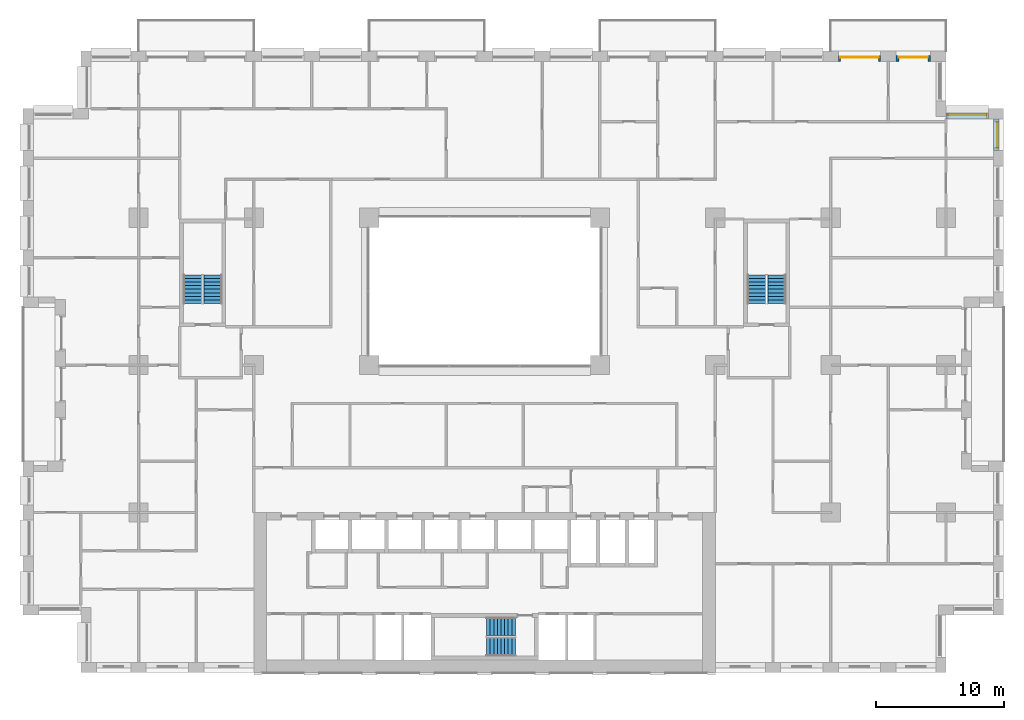
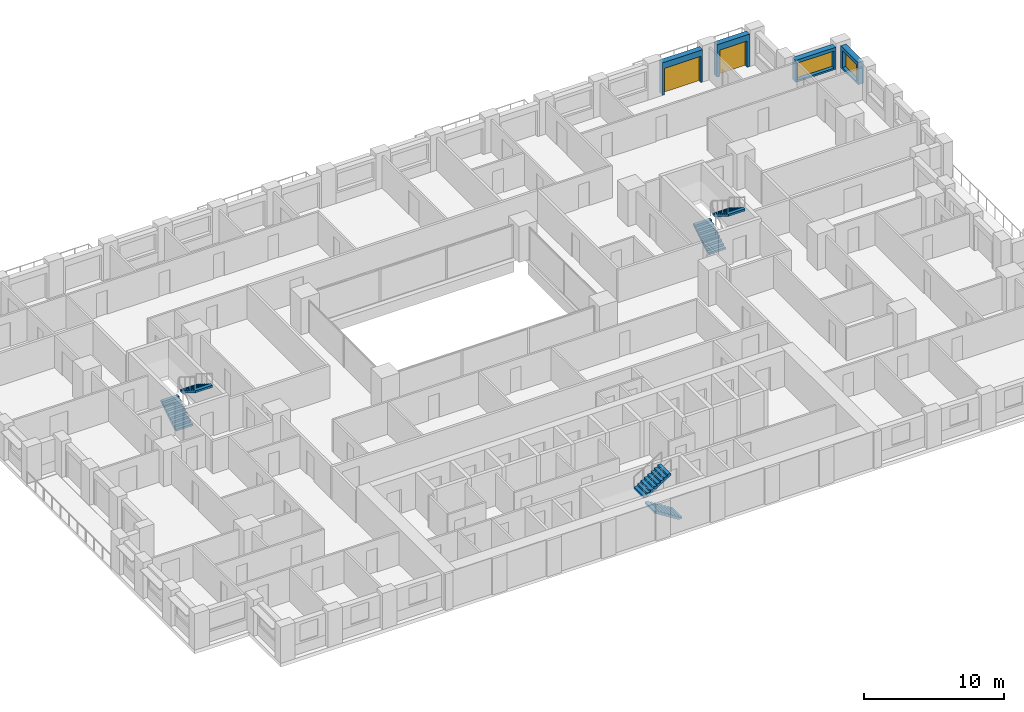
# One storey, part 18 of 20: 6 stair flights, 4 walls, 2 doors, 2 windows, 4 openings, 3 elements without a shape of their own.
"""IFC4 building model written with IfcOpenShell, lengths in metres."""

import ifcopenshell
import ifcopenshell.guid

model = None  # the IFC model being written
_history = None  # IfcOwnerHistory: only IFC2X3 demands one
_inside = {}  # id of a spatial element -> (the spatial element, [elements in it])
_under = {}  # id of a project, library or spatial element -> (it, [spatial elements below it])
_declared = {}  # id of a project -> (the project, [libraries it declares])
_typed = {}  # id of a type object -> (the type object, [elements of that type])
_made_of = {}  # id of a material, layer set ... -> (it, [elements and type objects made of it])


def new_model(schema):
    """Start an empty IFC model of exactly this schema.

    Asked for "IFC4X3", IfcOpenShell would pick the latest addendum, in which some entities
    have other attributes; the version numbers below select the first issue.
    IFC2X3 requires an IfcOwnerHistory on every rooted entity: one is made here for all.
    """
    global model, _history
    if schema == "IFC4X3":
        model = ifcopenshell.file(schema_version=(4, 3, 0, 0))
    else:
        model = ifcopenshell.file(schema=schema)
    _inside.clear()
    _under.clear()
    _declared.clear()
    _typed.clear()
    _made_of.clear()
    _history = None
    if model.schema == "IFC2X3":
        org = make("IfcOrganization", Name="unknown")
        user = make(
            "IfcPersonAndOrganization",
            ThePerson=make("IfcPerson", FamilyName="unknown"),
            TheOrganization=org,
        )
        app = make(
            "IfcApplication",
            ApplicationDeveloper=org,
            Version="unknown",
            ApplicationFullName="unknown",
            ApplicationIdentifier="unknown",
        )
        _history = make(
            "IfcOwnerHistory",
            OwningUser=user,
            OwningApplication=app,
            ChangeAction="ADDED",
            CreationDate=0,
        )
    return model


def make(cls, **values):
    """One entity of the class cls with the attributes given. An attribute that is None is left unset."""
    return model.create_entity(
        cls, **{name: value for name, value in values.items() if value is not None}
    )


def rooted(cls, **values):
    """An entity with a GlobalId (a new one), such as an element, a storey or a relation."""
    return make(cls, GlobalId=ifcopenshell.guid.new(), OwnerHistory=_history, **values)


def si_unit(unit_type, name, prefix=None):
    """IfcSIUnit, for example si_unit("LENGTHUNIT", "METRE", prefix="MILLI")."""
    return make("IfcSIUnit", UnitType=unit_type, Prefix=prefix, Name=name)


def assignment(units):
    """IfcUnitAssignment: the units of a project."""
    return None if units is None else make("IfcUnitAssignment", Units=units)


def point(xyz):
    """IfcCartesianPoint."""
    return None if xyz is None else make("IfcCartesianPoint", Coordinates=xyz)


def direction(xyz):
    """IfcDirection."""
    return None if xyz is None else make("IfcDirection", DirectionRatios=xyz)


def frame(location, z_axis=None, x_axis=None):
    """IfcAxis2Placement3D, a coordinate frame: its origin and axes. An axis left out is left unset."""
    return make(
        "IfcAxis2Placement3D",
        Location=point(location),
        Axis=direction(z_axis),
        RefDirection=direction(x_axis),
    )


def frame_2d(location, x_axis=None):
    """IfcAxis2Placement2D, a coordinate frame in the plane: its origin and x axis."""
    return make(
        "IfcAxis2Placement2D", Location=point(location), RefDirection=direction(x_axis)
    )


def origin():
    """The frame at (0, 0, 0) with its axes left unset."""
    return frame((0.0, 0.0, 0.0))


def place(relative_to, where):
    """IfcLocalPlacement: puts the frame where relative to a parent placement (None: the world)."""
    return make(
        "IfcLocalPlacement", PlacementRelTo=relative_to, RelativePlacement=where
    )


def context(
    kind, dimensions, precision=None, world=None, true_north=None, identifier=None
):
    """IfcGeometricRepresentationContext, for example the 3D "Model" context."""
    return make(
        "IfcGeometricRepresentationContext",
        ContextIdentifier=identifier,
        ContextType=kind,
        CoordinateSpaceDimension=dimensions,
        Precision=precision,
        WorldCoordinateSystem=world,
        TrueNorth=true_north,
    )


def subcontext(parent, identifier, kind, view, scale=None):
    """IfcGeometricRepresentationSubContext, for example "Body" below "Model"."""
    return make(
        "IfcGeometricRepresentationSubContext",
        ContextIdentifier=identifier,
        ContextType=kind,
        ParentContext=parent,
        TargetScale=scale,
        TargetView=view,
    )


def project(units=None, contexts=None):
    """IfcProject with its units and contexts."""
    return rooted(
        "IfcProject",
        Name="project",
        RepresentationContexts=contexts,
        UnitsInContext=assignment(units),
    )


def spatial(cls, under=None, at=None, **own):
    """A site, building, storey or space (cls), placed at a placement, below another one or the project."""
    s = rooted(cls, ObjectPlacement=at, **own)
    if under is not None:
        _under.setdefault(under.id(), (under, []))[1].append(s)
    return s


def polyline(points):
    """IfcPolyline through the points."""
    return make("IfcPolyline", Points=[point(p) for p in points])


def profile(cls, at=None, kind="AREA", **sizes):
    """A parametric profile (cls). Its sizes go by their IFC names, for example OverallWidth=200.0."""
    return make(cls, ProfileType=kind, Position=at, **sizes)


def rectangle(**sizes):
    """IfcRectangleProfileDef."""
    return profile("IfcRectangleProfileDef", **sizes)


def outline(outer, holes=None, kind="AREA"):
    """IfcArbitraryClosedProfileDef: a profile drawn as a closed curve; with holes, ...WithVoids."""
    if holes is None:
        return make("IfcArbitraryClosedProfileDef", ProfileType=kind, OuterCurve=outer)
    return make(
        "IfcArbitraryProfileDefWithVoids",
        ProfileType=kind,
        OuterCurve=outer,
        InnerCurves=holes,
    )


def extrude(swept, where, along, depth):
    """IfcExtrudedAreaSolid: the profile swept, set in the frame where, extruded along a direction by depth."""
    return make(
        "IfcExtrudedAreaSolid",
        SweptArea=swept,
        Position=where,
        ExtrudedDirection=direction(along),
        Depth=depth,
    )


def shape(context_of_items, identifier, shape_type, items):
    """IfcShapeRepresentation: the items that make up one representation, for example the "Body"."""
    return make(
        "IfcShapeRepresentation",
        ContextOfItems=context_of_items,
        RepresentationIdentifier=identifier,
        RepresentationType=shape_type,
        Items=items,
    )


def material(Name=None, Category=None):
    """IfcMaterial."""
    return make("IfcMaterial", Name=Name, Category=Category)


def layer(
    of_material, thickness, ventilated=None, Name=None, Category=None, Priority=None
):
    """IfcMaterialLayer: one layer of a wall or slab, of a material (None: an air gap)."""
    return make(
        "IfcMaterialLayer",
        Material=of_material,
        LayerThickness=thickness,
        IsVentilated=ventilated,
        Name=Name,
        Category=Category,
        Priority=Priority,
    )


def layer_set(layers, Name=None):
    """IfcMaterialLayerSet."""
    return make("IfcMaterialLayerSet", MaterialLayers=layers, LayerSetName=Name)


def made_of(thing, what):
    """Note that an element or type object is made of a material, layer set ...; save() writes the relation."""
    if what is not None:
        _made_of.setdefault(what.id(), (what, []))[1].append(thing)
    return thing


def type_object(cls, material=None, **own):
    """A type object (cls), such as IfcWallType, which elements share."""
    return made_of(rooted(cls, **own), material)


def element(
    cls,
    number,
    at=None,
    inside=None,
    cuts=None,
    type_object=None,
    material=None,
    context=None,
    identifier="Body",
    shape_type=None,
    held_by="IfcProductDefinitionShape",
    body=None,
    shapes=None,
    **own,
):
    """One element of the class cls, such as IfcWall. Its Tag is "e" and its number.

    at: its placement. inside: the storey or other place that contains it. cuts: it is an
    opening in that element (IfcRelVoidsElement). A single representation is given by context,
    identifier, shape_type and body (its items); several are given by shapes. held_by: the class
    of the entity that holds the representations. save() writes the other relations.
    """
    e = rooted(cls, Tag="e%d" % number, ObjectPlacement=at, **own)
    if body is not None:
        shapes = [shape(context, identifier, shape_type, body)]
    if shapes is not None:
        e.Representation = make(held_by, Representations=shapes)
    if inside is not None:
        _inside.setdefault(inside.id(), (inside, []))[1].append(e)
    if cuts is not None:
        rooted(
            "IfcRelVoidsElement", RelatingBuildingElement=cuts, RelatedOpeningElement=e
        )
    if type_object is not None:
        _typed.setdefault(type_object.id(), (type_object, []))[1].append(e)
    return made_of(e, material)


def fill(opening, filler):
    """IfcRelFillsElement: the door or window that sits in an opening."""
    return rooted(
        "IfcRelFillsElement",
        RelatingOpeningElement=opening,
        RelatedBuildingElement=filler,
    )


def aggregate(whole, parts):
    """IfcRelAggregates: a whole, such as a stair, and the parts it consists of."""
    return rooted("IfcRelAggregates", RelatingObject=whole, RelatedObjects=parts)


def save(model, path):
    """Write the relations noted so far, then the file.

    IfcRelAggregates (storeys below a building ...), IfcRelContainedInSpatialStructure (elements
    in a storey), IfcRelDefinesByType, IfcRelAssociatesMaterial and IfcRelDeclares: one each for
    every whole, place, type object, material and project.
    """
    for whole, parts in _under.values():
        aggregate(whole, parts)
    for where, things in _inside.values():
        rooted(
            "IfcRelContainedInSpatialStructure",
            RelatedElements=things,
            RelatingStructure=where,
        )
    for kind, things in _typed.values():
        rooted("IfcRelDefinesByType", RelatedObjects=things, RelatingType=kind)
    for what, things in _made_of.values():
        rooted("IfcRelAssociatesMaterial", RelatedObjects=things, RelatingMaterial=what)
    for by, libraries in _declared.values():
        rooted("IfcRelDeclares", RelatingContext=by, RelatedDefinitions=libraries)
    model.write(path)


model = new_model("IFC4")

# Units and contexts
model_context = context("Model", 3, precision=1e-05, world=origin(), true_north=direction((0.0, 1.0)))
body_context = subcontext(model_context, "Body", "Model", "MODEL_VIEW")
ifc_project = project(units=[si_unit("LENGTHUNIT", "METRE"), si_unit("AREAUNIT", "SQUARE_METRE"), si_unit("VOLUMEUNIT", "CUBIC_METRE"), si_unit("PLANEANGLEUNIT", "RADIAN"), si_unit("MASSUNIT", "GRAM", prefix="KILO")], contexts=[model_context])

# Site, building, storey
site_placement = place(None, origin())
site = spatial("IfcSite", under=ifc_project, at=site_placement, CompositionType="ELEMENT")
building_placement = place(site_placement, origin())
building = spatial("IfcBuilding", under=site, at=building_placement, Name="Brigalow Station Residences", CompositionType="ELEMENT")
storey_placement = place(building_placement, frame((0.0, 0.0, 57.300048828125)))
storey = spatial("IfcBuildingStorey", under=building, at=storey_placement, Name="L16", CompositionType="ELEMENT", Elevation=57.300048828125)

# Wall, opening, window
ifc_material_1 = material(Name="Clay brick masonry", Category="masonry")
ifc_layer = layer(ifc_material_1, 0.449951171875)
ifc_layer_set = layer_set([ifc_layer], Name="BRICK INFILL WALL 450")
wall_type = type_object("IfcWallType", Name="BRICK INFILL WALL 450", PredefinedType="SOLIDWALL", material=ifc_layer_set)
wall_1_placement = place(storey_placement, frame((75.925048828125, 40.72509765625, 0.89990234375), z_axis=(0.0, 0.0, 1.0), x_axis=(0.0, 1.0, 0.0)))
wall_1 = element("IfcWall", 1, at=wall_1_placement, inside=storey, type_object=wall_type, Name="L16/ewall/W-L16-22", PredefinedType="SOLIDWALL", context=body_context, shape_type="SweptSolid", body=[
    extrude(rectangle(XDim=2.474853515625, YDim=0.449951171875, at=frame_2d((1.2373046875, 0.0))), origin(), (0.0, 0.0, 1.0), 1.929931640625),
])
opening_1_placement = place(wall_1_placement, frame((0.237548828125, 0.0, 0.14990234375)))
opening_1 = element("IfcOpeningElement", 2, at=opening_1_placement, cuts=wall_1, Name="Opening WT-7", PredefinedType="OPENING", context=body_context, shape_type="SweptSolid", body=[
    extrude(rectangle(XDim=2.0, YDim=1.5, at=frame_2d((1.0, 0.75))), frame((0.0, 0.23486328125, 0.0), z_axis=(0.0, -1.0, 0.0), x_axis=(1.0, 0.0, 0.0)), (0.0, 0.0, 1.0), 0.469970703125),
])
ifc_material_2 = material(Name="Anodised aluminium frame with double glazing", Category="aluminium")
window_type_1 = type_object("IfcWindowType", Name="WINDOW 2000x1500", PartitioningType="SINGLE_PANEL", PredefinedType="WINDOW", material=ifc_material_2)
window_1_placement = place(opening_1_placement, origin())
window_1 = element("IfcWindow", 3, at=window_1_placement, inside=storey, type_object=window_type_1, Name="L16/window/W-L16-22", OverallHeight=1.5, OverallWidth=2.0, PartitioningType="SINGLE_PANEL", PredefinedType="WINDOW", context=body_context, shape_type="SweptSolid", body=[
    extrude(rectangle(XDim=2.0, YDim=1.5, at=frame_2d((1.0, 0.75))), frame((0.0, -0.06494140625, 0.0), z_axis=(0.0, -1.0, 0.0), x_axis=(1.0, 0.0, 0.0)), (0.0, 0.0, 1.0), 0.06005859375),
])
fill(opening_1, window_1)

wall_2_placement = place(storey_placement, frame((75.300048828125, 43.425048828125, 0.89990234375), z_axis=(0.0, 0.0, 1.0), x_axis=(-1.0, 0.0, 0.0)))
wall_2 = element("IfcWall", 4, at=wall_2_placement, inside=storey, type_object=wall_type, Name="L16/ewall/W-L16-23", PredefinedType="SOLIDWALL", context=body_context, shape_type="SweptSolid", body=[
    extrude(rectangle(XDim=3.300048828125, YDim=0.449951171875, at=frame_2d((1.64990234375, 0.0))), origin(), (0.0, 0.0, 1.0), 1.929931640625),
])
opening_2_placement = place(wall_2_placement, frame((0.14990234375, 0.0, 0.14990234375)))
opening_2 = element("IfcOpeningElement", 5, at=opening_2_placement, cuts=wall_2, Name="Opening WT-2", PredefinedType="OPENING", context=body_context, shape_type="SweptSolid", body=[
    extrude(rectangle(XDim=3.0, YDim=1.5, at=frame_2d((1.5, 0.75))), frame((0.0, 0.23486328125, 0.0), z_axis=(0.0, -1.0, 0.0), x_axis=(1.0, 0.0, 0.0)), (0.0, 0.0, 1.0), 0.469970703125),
])
ifc_material_3 = material(Name="Anodised aluminium frame with double glazing", Category="aluminium")
window_type_2 = type_object("IfcWindowType", Name="WINDOW 3000x1500", PartitioningType="SINGLE_PANEL", PredefinedType="WINDOW", material=ifc_material_3)
window_2_placement = place(opening_2_placement, origin())
window_2 = element("IfcWindow", 6, at=window_2_placement, inside=storey, type_object=window_type_2, Name="L16/window/W-L16-23", OverallHeight=1.5, OverallWidth=3.0, PartitioningType="SINGLE_PANEL", PredefinedType="WINDOW", context=body_context, shape_type="SweptSolid", body=[
    extrude(rectangle(XDim=3.0, YDim=1.5, at=frame_2d((1.5, 0.75))), frame((0.0, -0.06494140625, 0.0), z_axis=(0.0, -1.0, 0.0), x_axis=(1.0, 0.0, 0.0)), (0.0, 0.0, 1.0), 0.06005859375),
])
fill(opening_2, window_2)

# Wall, opening, door
wall_3_placement = place(storey_placement, frame((70.800048828125, 47.925048828125, 0.0), z_axis=(0.0, 0.0, 1.0), x_axis=(-1.0, 0.0, 0.0)))
wall_3 = element("IfcWall", 7, at=wall_3_placement, inside=storey, type_object=wall_type, Name="L16/ewall/W-L16-25", PredefinedType="SOLIDWALL", context=body_context, shape_type="SweptSolid", body=[
    extrude(rectangle(XDim=2.699951171875, YDim=0.449951171875, at=frame_2d((1.35009765625, 0.0))), origin(), (0.0, 0.0, 1.0), 2.829833984375),
])
opening_3_placement = place(wall_3_placement, frame((0.22509765625, 0.0, 0.0)))
opening_3 = element("IfcOpeningElement", 8, at=opening_3_placement, cuts=wall_3, Name="Opening D-B2250", PredefinedType="OPENING", context=body_context, shape_type="SweptSolid", body=[
    extrude(rectangle(XDim=2.25, YDim=2.300048828125, at=frame_2d((1.125, 1.14990234375))), frame((0.0, 0.23486328125, 0.0), z_axis=(0.0, -1.0, 0.0), x_axis=(1.0, 0.0, 0.0)), (0.0, 0.0, 1.0), 0.469970703125),
])
ifc_material_4 = material(Name="Anodised aluminium frame with double glazing", Category="aluminium")
door_type_1 = type_object("IfcDoorType", Name="BALCONY SLIDING DOOR 2250x2300", OperationType="SLIDING_TO_LEFT", PredefinedType="DOOR", material=ifc_material_4)
door_1_placement = place(opening_3_placement, origin())
door_1 = element("IfcDoor", 9, at=door_1_placement, inside=storey, type_object=door_type_1, Name="L16/balcony-door/W-L16-25", OperationType="SLIDING_TO_LEFT", OverallHeight=2.300048828125, OverallWidth=2.25, PredefinedType="DOOR", context=body_context, shape_type="SweptSolid", body=[
    extrude(rectangle(XDim=2.25, YDim=2.300048828125, at=frame_2d((1.125, 1.14990234375))), frame((0.0, -0.06982421875, 0.0), z_axis=(0.0, -1.0, 0.0), x_axis=(1.0, 0.0, 0.0)), (0.0, 0.0, 1.0), 0.050048828125),
])
fill(opening_3, door_1)

wall_4_placement = place(storey_placement, frame((66.89990234375, 47.925048828125, 0.0), z_axis=(0.0, 0.0, 1.0), x_axis=(-1.0, 0.0, 0.0)))
wall_4 = element("IfcWall", 10, at=wall_4_placement, inside=storey, type_object=wall_type, Name="L16/ewall/W-L16-26", PredefinedType="SOLIDWALL", context=body_context, shape_type="SweptSolid", body=[
    extrude(rectangle(XDim=3.2998046875, YDim=0.449951171875, at=frame_2d((1.64990234375, 0.0))), origin(), (0.0, 0.0, 1.0), 2.829833984375),
])
opening_4_placement = place(wall_4_placement, frame((0.14990234375, 0.0, 0.0)))
opening_4 = element("IfcOpeningElement", 11, at=opening_4_placement, cuts=wall_4, Name="Opening D-B3000", PredefinedType="OPENING", context=body_context, shape_type="SweptSolid", body=[
    extrude(rectangle(XDim=3.0, YDim=2.300048828125, at=frame_2d((1.5, 1.14990234375))), frame((0.0, 0.23486328125, 0.0), z_axis=(0.0, -1.0, 0.0), x_axis=(1.0, 0.0, 0.0)), (0.0, 0.0, 1.0), 0.469970703125),
])
ifc_material_5 = material(Name="Anodised aluminium frame with double glazing", Category="aluminium")
door_type_2 = type_object("IfcDoorType", Name="BALCONY SLIDING DOOR 3000x2300", OperationType="SLIDING_TO_LEFT", PredefinedType="DOOR", material=ifc_material_5)
door_2_placement = place(opening_4_placement, origin())
door_2 = element("IfcDoor", 12, at=door_2_placement, inside=storey, type_object=door_type_2, Name="L16/balcony-door/W-L16-26", OperationType="SLIDING_TO_LEFT", OverallHeight=2.300048828125, OverallWidth=3.0, PredefinedType="DOOR", context=body_context, shape_type="SweptSolid", body=[
    extrude(rectangle(XDim=3.0, YDim=2.300048828125, at=frame_2d((1.5, 1.14990234375))), frame((0.0, -0.06982421875, 0.0), z_axis=(0.0, -1.0, 0.0), x_axis=(1.0, 0.0, 0.0)), (0.0, 0.0, 1.0), 0.050048828125),
])
fill(opening_4, door_2)

# Stair, stair flights
ifc_material_6 = material(Name="Concrete C50", Category="concrete")
stair_type = type_object("IfcStairType", Name="EXIT STAIR 1400 2 FLIGHT", PredefinedType="HALF_TURN_STAIR", material=ifc_material_6)
stair_1_placement = place(storey_placement, origin())
stair_1 = element("IfcStair", 13, at=stair_1_placement, inside=storey, type_object=stair_type, Name="EXIT STAIR S2 L16", PredefinedType="HALF_TURN_STAIR")
ifc_material_7 = material(Name="Concrete C50", Category="concrete")
stair_flight_type = type_object("IfcStairFlightType", Name="STAIR FLIGHT 1400", PredefinedType="STRAIGHT", material=ifc_material_7)
stair_flight_1_placement = place(storey_placement, frame((38.39990234375, 2.0, 0.0), z_axis=(0.0, 0.0, 1.0), x_axis=(-1.0, 0.0, 0.0)))
stair_flight_1 = element("IfcStairFlight", 14, at=stair_flight_1_placement, type_object=stair_flight_type, Name="ST-2 flight 1", NumberOfRisers=9, NumberOfTreads=8, PredefinedType="STRAIGHT", RiserHeight=0.175, TreadLength=0.28, context=body_context, shape_type="SweptSolid", body=[
    extrude(outline(polyline([(0.0, 0.0), (0.0, 0.175048828125), (0.280029296875, 0.175048828125), (0.280029296875, 0.35009765625), (0.56005859375, 0.35009765625), (0.56005859375, 0.52490234375), (0.840087890625, 0.52490234375), (0.840087890625, 0.699951171875), (1.1201171875, 0.699951171875), (1.1201171875, 0.875), (1.39990234375, 0.875), (1.39990234375, 1.050048828125), (1.679931640625, 1.050048828125), (1.679931640625, 1.22509765625), (1.9599609375, 1.22509765625), (1.9599609375, 1.39990234375), (2.239990234375, 1.39990234375), (2.239990234375, 1.574951171875), (2.239990234375, 1.22314453125), (0.28271484375, 0.0), (0.0, 0.0)])), frame((0.0, 0.699951171875, 0.0), z_axis=(0.0, -1.0, 0.0), x_axis=(1.0, 0.0, 0.0)), (0.0, 0.0, 1.0), 1.39990234375),
])
stair_flight_2_placement = place(storey_placement, frame((36.159912109375, 3.60009765625, 1.574951171875), z_axis=(0.0, 0.0, 1.0), x_axis=(1.0, 0.0, 0.0)))
stair_flight_2 = element("IfcStairFlight", 15, at=stair_flight_2_placement, type_object=stair_flight_type, Name="ST-2 flight 2", NumberOfRisers=9, NumberOfTreads=8, PredefinedType="STRAIGHT", RiserHeight=0.175, TreadLength=0.28, context=body_context, shape_type="SweptSolid", body=[
    extrude(outline(polyline([(0.0, 0.0), (0.0, 0.175048828125), (0.280029296875, 0.175048828125), (0.280029296875, 0.35009765625), (0.56005859375, 0.35009765625), (0.56005859375, 0.52490234375), (0.840087890625, 0.52490234375), (0.840087890625, 0.699951171875), (1.1201171875, 0.699951171875), (1.1201171875, 0.875), (1.39990234375, 0.875), (1.39990234375, 1.050048828125), (1.679931640625, 1.050048828125), (1.679931640625, 1.22509765625), (1.9599609375, 1.22509765625), (1.9599609375, 1.39990234375), (2.239990234375, 1.39990234375), (2.239990234375, 1.574951171875), (2.239990234375, 1.22314453125), (0.28271484375, 0.0), (0.0, 0.0)])), frame((0.0, 0.699951171875, 0.0), z_axis=(0.0, -1.0, 0.0), x_axis=(1.0, 0.0, 0.0)), (0.0, 0.0, 1.0), 1.39990234375),
])
aggregate(stair_1, [stair_flight_1, stair_flight_2])

stair_2_placement = place(storey_placement, origin())
stair_2 = element("IfcStair", 16, at=stair_2_placement, inside=storey, type_object=stair_type, Name="EXIT STAIR S1 L16", PredefinedType="HALF_TURN_STAIR")
stair_flight_3_placement = place(storey_placement, frame((13.199951171875, 28.800048828125, 0.0), z_axis=(0.0, 0.0, 1.0), x_axis=(0.0, 1.0, 0.0)))
stair_flight_3 = element("IfcStairFlight", 17, at=stair_flight_3_placement, type_object=stair_flight_type, Name="ST-1 flight 1", NumberOfRisers=9, NumberOfTreads=8, PredefinedType="STRAIGHT", RiserHeight=0.175, TreadLength=0.28, context=body_context, shape_type="SweptSolid", body=[
    extrude(outline(polyline([(0.0, 0.0), (0.0, 0.175048828125), (0.280029296875, 0.175048828125), (0.280029296875, 0.35009765625), (0.56005859375, 0.35009765625), (0.56005859375, 0.52490234375), (0.840087890625, 0.52490234375), (0.840087890625, 0.699951171875), (1.1201171875, 0.699951171875), (1.1201171875, 0.875), (1.39990234375, 0.875), (1.39990234375, 1.050048828125), (1.679931640625, 1.050048828125), (1.679931640625, 1.22509765625), (1.9599609375, 1.22509765625), (1.9599609375, 1.39990234375), (2.239990234375, 1.39990234375), (2.239990234375, 1.574951171875), (2.239990234375, 1.22314453125), (0.28271484375, 0.0), (0.0, 0.0)])), frame((0.0, 0.699951171875, 0.0), z_axis=(0.0, -1.0, 0.0), x_axis=(1.0, 0.0, 0.0)), (0.0, 0.0, 1.0), 1.39990234375),
])
stair_flight_4_placement = place(storey_placement, frame((14.800048828125, 31.0400390625, 1.574951171875), z_axis=(0.0, 0.0, 1.0), x_axis=(0.0, -1.0, 0.0)))
stair_flight_4 = element("IfcStairFlight", 18, at=stair_flight_4_placement, type_object=stair_flight_type, Name="ST-1 flight 2", NumberOfRisers=9, NumberOfTreads=8, PredefinedType="STRAIGHT", RiserHeight=0.175, TreadLength=0.28, context=body_context, shape_type="SweptSolid", body=[
    extrude(outline(polyline([(0.0, 0.0), (0.0, 0.175048828125), (0.280029296875, 0.175048828125), (0.280029296875, 0.35009765625), (0.56005859375, 0.35009765625), (0.56005859375, 0.52490234375), (0.840087890625, 0.52490234375), (0.840087890625, 0.699951171875), (1.1201171875, 0.699951171875), (1.1201171875, 0.875), (1.39990234375, 0.875), (1.39990234375, 1.050048828125), (1.679931640625, 1.050048828125), (1.679931640625, 1.22509765625), (1.9599609375, 1.22509765625), (1.9599609375, 1.39990234375), (2.239990234375, 1.39990234375), (2.239990234375, 1.574951171875), (2.239990234375, 1.22314453125), (0.28271484375, 0.0), (0.0, 0.0)])), frame((0.0, 0.699951171875, 0.0), z_axis=(0.0, -1.0, 0.0), x_axis=(1.0, 0.0, 0.0)), (0.0, 0.0, 1.0), 1.39990234375),
])
aggregate(stair_2, [stair_flight_3, stair_flight_4])

stair_3_placement = place(storey_placement, origin())
stair_3 = element("IfcStair", 19, at=stair_3_placement, inside=storey, type_object=stair_type, Name="EXIT STAIR S3 L16", PredefinedType="HALF_TURN_STAIR")
stair_flight_5_placement = place(storey_placement, frame((57.199951171875, 28.800048828125, 0.0), z_axis=(0.0, 0.0, 1.0), x_axis=(0.0, 1.0, 0.0)))
stair_flight_5 = element("IfcStairFlight", 20, at=stair_flight_5_placement, type_object=stair_flight_type, Name="ST-3 flight 1", NumberOfRisers=9, NumberOfTreads=8, PredefinedType="STRAIGHT", RiserHeight=0.175, TreadLength=0.28, context=body_context, shape_type="SweptSolid", body=[
    extrude(outline(polyline([(0.0, 0.0), (0.0, 0.175048828125), (0.280029296875, 0.175048828125), (0.280029296875, 0.35009765625), (0.56005859375, 0.35009765625), (0.56005859375, 0.52490234375), (0.840087890625, 0.52490234375), (0.840087890625, 0.699951171875), (1.1201171875, 0.699951171875), (1.1201171875, 0.875), (1.39990234375, 0.875), (1.39990234375, 1.050048828125), (1.679931640625, 1.050048828125), (1.679931640625, 1.22509765625), (1.9599609375, 1.22509765625), (1.9599609375, 1.39990234375), (2.239990234375, 1.39990234375), (2.239990234375, 1.574951171875), (2.239990234375, 1.22314453125), (0.28271484375, 0.0), (0.0, 0.0)])), frame((0.0, 0.699951171875, 0.0), z_axis=(0.0, -1.0, 0.0), x_axis=(1.0, 0.0, 0.0)), (0.0, 0.0, 1.0), 1.39990234375),
])
stair_flight_6_placement = place(storey_placement, frame((58.800048828125, 31.0400390625, 1.574951171875), z_axis=(0.0, 0.0, 1.0), x_axis=(0.0, -1.0, 0.0)))
stair_flight_6 = element("IfcStairFlight", 21, at=stair_flight_6_placement, type_object=stair_flight_type, Name="ST-3 flight 2", NumberOfRisers=9, NumberOfTreads=8, PredefinedType="STRAIGHT", RiserHeight=0.175, TreadLength=0.28, context=body_context, shape_type="SweptSolid", body=[
    extrude(outline(polyline([(0.0, 0.0), (0.0, 0.175048828125), (0.280029296875, 0.175048828125), (0.280029296875, 0.35009765625), (0.56005859375, 0.35009765625), (0.56005859375, 0.52490234375), (0.840087890625, 0.52490234375), (0.840087890625, 0.699951171875), (1.1201171875, 0.699951171875), (1.1201171875, 0.875), (1.39990234375, 0.875), (1.39990234375, 1.050048828125), (1.679931640625, 1.050048828125), (1.679931640625, 1.22509765625), (1.9599609375, 1.22509765625), (1.9599609375, 1.39990234375), (2.239990234375, 1.39990234375), (2.239990234375, 1.574951171875), (2.239990234375, 1.22314453125), (0.28271484375, 0.0), (0.0, 0.0)])), frame((0.0, 0.699951171875, 0.0), z_axis=(0.0, -1.0, 0.0), x_axis=(1.0, 0.0, 0.0)), (0.0, 0.0, 1.0), 1.39990234375),
])
aggregate(stair_3, [stair_flight_5, stair_flight_6])

save(model, "model.ifc")
